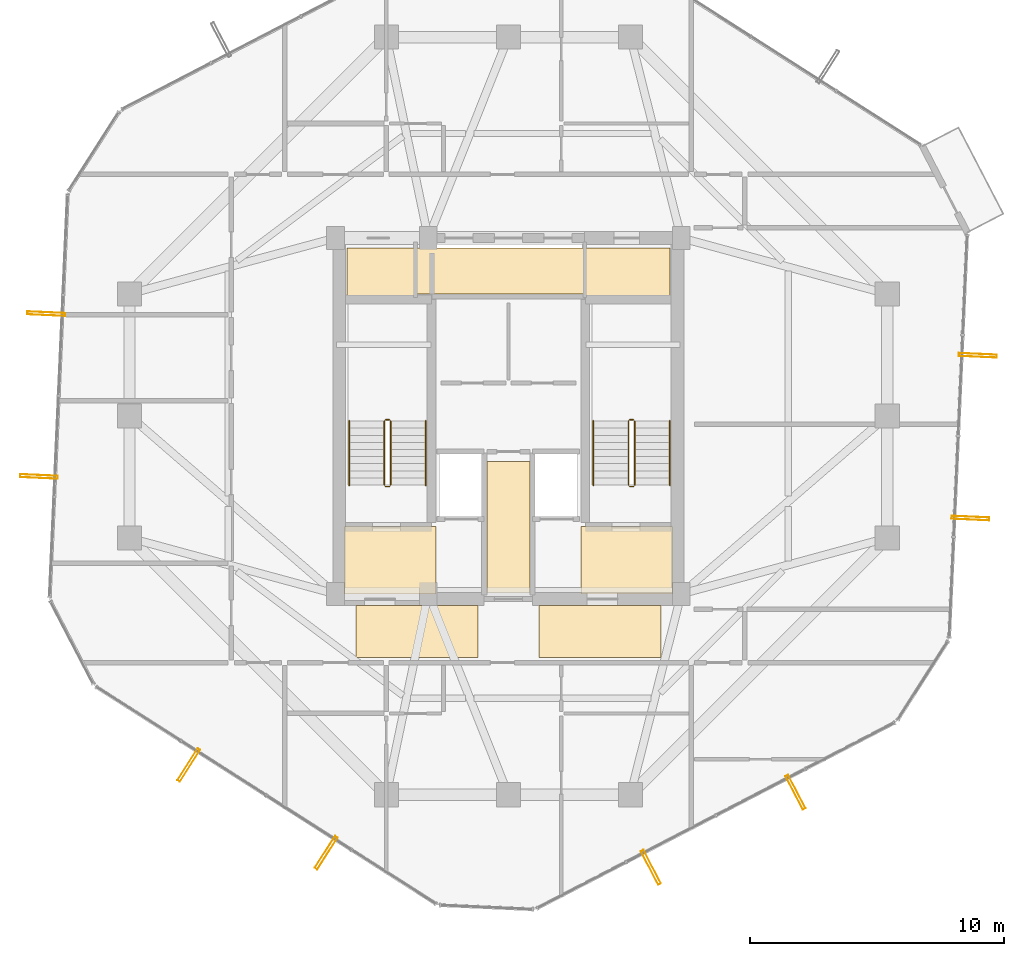
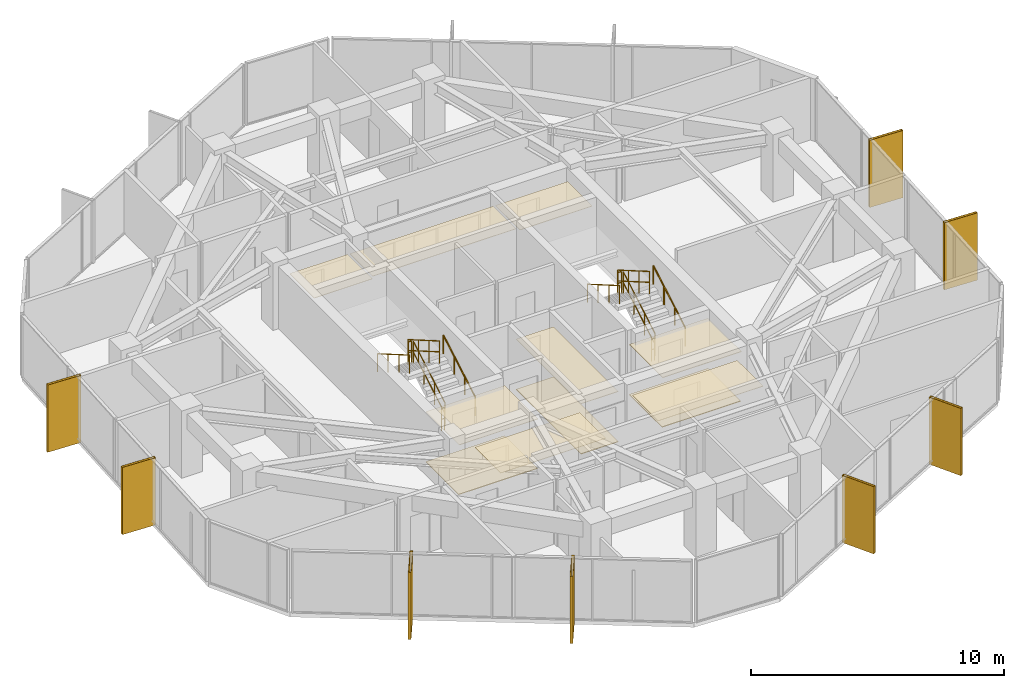
# One storey, part 28 of 29: 12 railings, 11 coverings, 8 shading devices.
"""IFC4 building model written with IfcOpenShell, lengths in metres."""

import ifcopenshell
import ifcopenshell.guid

model = None  # the IFC model being written
_history = None  # IfcOwnerHistory: only IFC2X3 demands one
_inside = {}  # id of a spatial element -> (the spatial element, [elements in it])
_under = {}  # id of a project, library or spatial element -> (it, [spatial elements below it])
_declared = {}  # id of a project -> (the project, [libraries it declares])
_typed = {}  # id of a type object -> (the type object, [elements of that type])
_made_of = {}  # id of a material, layer set ... -> (it, [elements and type objects made of it])


def new_model(schema):
    """Start an empty IFC model of exactly this schema.

    Asked for "IFC4X3", IfcOpenShell would pick the latest addendum, in which some entities
    have other attributes; the version numbers below select the first issue.
    IFC2X3 requires an IfcOwnerHistory on every rooted entity: one is made here for all.
    """
    global model, _history
    if schema == "IFC4X3":
        model = ifcopenshell.file(schema_version=(4, 3, 0, 0))
    else:
        model = ifcopenshell.file(schema=schema)
    _inside.clear()
    _under.clear()
    _declared.clear()
    _typed.clear()
    _made_of.clear()
    _history = None
    if model.schema == "IFC2X3":
        org = make("IfcOrganization", Name="unknown")
        user = make(
            "IfcPersonAndOrganization",
            ThePerson=make("IfcPerson", FamilyName="unknown"),
            TheOrganization=org,
        )
        app = make(
            "IfcApplication",
            ApplicationDeveloper=org,
            Version="unknown",
            ApplicationFullName="unknown",
            ApplicationIdentifier="unknown",
        )
        _history = make(
            "IfcOwnerHistory",
            OwningUser=user,
            OwningApplication=app,
            ChangeAction="ADDED",
            CreationDate=0,
        )
    return model


def make(cls, **values):
    """One entity of the class cls with the attributes given. An attribute that is None is left unset."""
    return model.create_entity(
        cls, **{name: value for name, value in values.items() if value is not None}
    )


def rooted(cls, **values):
    """An entity with a GlobalId (a new one), such as an element, a storey or a relation."""
    return make(cls, GlobalId=ifcopenshell.guid.new(), OwnerHistory=_history, **values)


def si_unit(unit_type, name, prefix=None):
    """IfcSIUnit, for example si_unit("LENGTHUNIT", "METRE", prefix="MILLI")."""
    return make("IfcSIUnit", UnitType=unit_type, Prefix=prefix, Name=name)


def assignment(units):
    """IfcUnitAssignment: the units of a project."""
    return None if units is None else make("IfcUnitAssignment", Units=units)


def point(xyz):
    """IfcCartesianPoint."""
    return None if xyz is None else make("IfcCartesianPoint", Coordinates=xyz)


def direction(xyz):
    """IfcDirection."""
    return None if xyz is None else make("IfcDirection", DirectionRatios=xyz)


def frame(location, z_axis=None, x_axis=None):
    """IfcAxis2Placement3D, a coordinate frame: its origin and axes. An axis left out is left unset."""
    return make(
        "IfcAxis2Placement3D",
        Location=point(location),
        Axis=direction(z_axis),
        RefDirection=direction(x_axis),
    )


def frame_2d(location, x_axis=None):
    """IfcAxis2Placement2D, a coordinate frame in the plane: its origin and x axis."""
    return make(
        "IfcAxis2Placement2D", Location=point(location), RefDirection=direction(x_axis)
    )


def origin():
    """The frame at (0, 0, 0) with its axes left unset."""
    return frame((0.0, 0.0, 0.0))


def origin_2d():
    """The frame at (0, 0) in the plane with its x axis left unset."""
    return frame_2d((0.0, 0.0))


def place(relative_to, where):
    """IfcLocalPlacement: puts the frame where relative to a parent placement (None: the world)."""
    return make(
        "IfcLocalPlacement", PlacementRelTo=relative_to, RelativePlacement=where
    )


def context(
    kind, dimensions, precision=None, world=None, true_north=None, identifier=None
):
    """IfcGeometricRepresentationContext, for example the 3D "Model" context."""
    return make(
        "IfcGeometricRepresentationContext",
        ContextIdentifier=identifier,
        ContextType=kind,
        CoordinateSpaceDimension=dimensions,
        Precision=precision,
        WorldCoordinateSystem=world,
        TrueNorth=true_north,
    )


def subcontext(parent, identifier, kind, view, scale=None):
    """IfcGeometricRepresentationSubContext, for example "Body" below "Model"."""
    return make(
        "IfcGeometricRepresentationSubContext",
        ContextIdentifier=identifier,
        ContextType=kind,
        ParentContext=parent,
        TargetScale=scale,
        TargetView=view,
    )


def project(units=None, contexts=None):
    """IfcProject with its units and contexts."""
    return rooted(
        "IfcProject",
        Name="project",
        RepresentationContexts=contexts,
        UnitsInContext=assignment(units),
    )


def spatial(cls, under=None, at=None, **own):
    """A site, building, storey or space (cls), placed at a placement, below another one or the project."""
    s = rooted(cls, ObjectPlacement=at, **own)
    if under is not None:
        _under.setdefault(under.id(), (under, []))[1].append(s)
    return s


def polyline(points):
    """IfcPolyline through the points."""
    return make("IfcPolyline", Points=[point(p) for p in points])


def profile(cls, at=None, kind="AREA", **sizes):
    """A parametric profile (cls). Its sizes go by their IFC names, for example OverallWidth=200.0."""
    return make(cls, ProfileType=kind, Position=at, **sizes)


def hollow_rectangle(**sizes):
    """IfcRectangleHollowProfileDef."""
    return profile("IfcRectangleHollowProfileDef", **sizes)


def circle(**sizes):
    """IfcCircleProfileDef."""
    return profile("IfcCircleProfileDef", **sizes)


def outline(outer, holes=None, kind="AREA"):
    """IfcArbitraryClosedProfileDef: a profile drawn as a closed curve; with holes, ...WithVoids."""
    if holes is None:
        return make("IfcArbitraryClosedProfileDef", ProfileType=kind, OuterCurve=outer)
    return make(
        "IfcArbitraryProfileDefWithVoids",
        ProfileType=kind,
        OuterCurve=outer,
        InnerCurves=holes,
    )


def extrude(swept, where, along, depth):
    """IfcExtrudedAreaSolid: the profile swept, set in the frame where, extruded along a direction by depth."""
    return make(
        "IfcExtrudedAreaSolid",
        SweptArea=swept,
        Position=where,
        ExtrudedDirection=direction(along),
        Depth=depth,
    )


def shape(context_of_items, identifier, shape_type, items):
    """IfcShapeRepresentation: the items that make up one representation, for example the "Body"."""
    return make(
        "IfcShapeRepresentation",
        ContextOfItems=context_of_items,
        RepresentationIdentifier=identifier,
        RepresentationType=shape_type,
        Items=items,
    )


def material(Name=None, Category=None):
    """IfcMaterial."""
    return make("IfcMaterial", Name=Name, Category=Category)


def layer(
    of_material, thickness, ventilated=None, Name=None, Category=None, Priority=None
):
    """IfcMaterialLayer: one layer of a wall or slab, of a material (None: an air gap)."""
    return make(
        "IfcMaterialLayer",
        Material=of_material,
        LayerThickness=thickness,
        IsVentilated=ventilated,
        Name=Name,
        Category=Category,
        Priority=Priority,
    )


def layer_set(layers, Name=None):
    """IfcMaterialLayerSet."""
    return make("IfcMaterialLayerSet", MaterialLayers=layers, LayerSetName=Name)


def material_profile(
    of_material, cross_section, Name=None, Category=None, Priority=None
):
    """IfcMaterialProfile: a cross section and its material."""
    return make(
        "IfcMaterialProfile",
        Name=Name,
        Material=of_material,
        Profile=cross_section,
        Priority=Priority,
        Category=Category,
    )


def profile_set(profiles, Name=None, composite=None):
    """IfcMaterialProfileSet."""
    return make(
        "IfcMaterialProfileSet",
        Name=Name,
        MaterialProfiles=profiles,
        CompositeProfile=composite,
    )


def made_of(thing, what):
    """Note that an element or type object is made of a material, layer set ...; save() writes the relation."""
    if what is not None:
        _made_of.setdefault(what.id(), (what, []))[1].append(thing)
    return thing


def type_object(cls, material=None, **own):
    """A type object (cls), such as IfcWallType, which elements share."""
    return made_of(rooted(cls, **own), material)


def element(
    cls,
    number,
    at=None,
    inside=None,
    cuts=None,
    type_object=None,
    material=None,
    context=None,
    identifier="Body",
    shape_type=None,
    held_by="IfcProductDefinitionShape",
    body=None,
    shapes=None,
    **own,
):
    """One element of the class cls, such as IfcWall. Its Tag is "e" and its number.

    at: its placement. inside: the storey or other place that contains it. cuts: it is an
    opening in that element (IfcRelVoidsElement). A single representation is given by context,
    identifier, shape_type and body (its items); several are given by shapes. held_by: the class
    of the entity that holds the representations. save() writes the other relations.
    """
    e = rooted(cls, Tag="e%d" % number, ObjectPlacement=at, **own)
    if body is not None:
        shapes = [shape(context, identifier, shape_type, body)]
    if shapes is not None:
        e.Representation = make(held_by, Representations=shapes)
    if inside is not None:
        _inside.setdefault(inside.id(), (inside, []))[1].append(e)
    if cuts is not None:
        rooted(
            "IfcRelVoidsElement", RelatingBuildingElement=cuts, RelatedOpeningElement=e
        )
    if type_object is not None:
        _typed.setdefault(type_object.id(), (type_object, []))[1].append(e)
    return made_of(e, material)


def aggregate(whole, parts):
    """IfcRelAggregates: a whole, such as a stair, and the parts it consists of."""
    return rooted("IfcRelAggregates", RelatingObject=whole, RelatedObjects=parts)


def save(model, path):
    """Write the relations noted so far, then the file.

    IfcRelAggregates (storeys below a building ...), IfcRelContainedInSpatialStructure (elements
    in a storey), IfcRelDefinesByType, IfcRelAssociatesMaterial and IfcRelDeclares: one each for
    every whole, place, type object, material and project.
    """
    for whole, parts in _under.values():
        aggregate(whole, parts)
    for where, things in _inside.values():
        rooted(
            "IfcRelContainedInSpatialStructure",
            RelatedElements=things,
            RelatingStructure=where,
        )
    for kind, things in _typed.values():
        rooted("IfcRelDefinesByType", RelatedObjects=things, RelatingType=kind)
    for what, things in _made_of.values():
        rooted("IfcRelAssociatesMaterial", RelatedObjects=things, RelatingMaterial=what)
    for by, libraries in _declared.values():
        rooted("IfcRelDeclares", RelatingContext=by, RelatedDefinitions=libraries)
    model.write(path)


model = new_model("IFC4")

# Units and contexts
model_context = context("Model", 3, precision=1e-05, world=origin(), true_north=direction((0.0, 1.0)))
body_context = subcontext(model_context, "Body", "Model", "MODEL_VIEW")
ifc_project = project(units=[si_unit("LENGTHUNIT", "METRE"), si_unit("AREAUNIT", "SQUARE_METRE"), si_unit("VOLUMEUNIT", "CUBIC_METRE"), si_unit("PLANEANGLEUNIT", "RADIAN"), si_unit("MASSUNIT", "GRAM", prefix="KILO")], contexts=[model_context])

# Site, building, storey
site_placement = place(None, origin())
site = spatial("IfcSite", under=ifc_project, at=site_placement, CompositionType="ELEMENT")
building_placement = place(site_placement, origin())
building = spatial("IfcBuilding", under=site, at=building_placement, Name="Veraguas Prism Commons", CompositionType="ELEMENT")
storey_placement = place(building_placement, frame((0.0, 0.0, 215.64990234375)))
storey = spatial("IfcBuildingStorey", under=building, at=storey_placement, Name="L61", CompositionType="ELEMENT", Elevation=215.64990234375)

# Shading devices
ifc_material_1 = material(Name="Anodised aluminium EN AW-6063 T6", Category="aluminium")
ifc_material_profile = material_profile(ifc_material_1, hollow_rectangle(XDim=0.1201171875, YDim=1.489990234375, WallThickness=0.006103515625, at=origin_2d()), Name="FIN120X1490X6")
ifc_profile_set = profile_set([ifc_material_profile], Name="Anodised aluminium EN AW-6063 T6")
shading_device_type = type_object("IfcShadingDeviceType", Name="Deep Pale-Metal Vertical Solar Fin 120x1490", PredefinedType="USERDEFINED", material=ifc_profile_set)
for number, where, z_axis, x_axis, name in (
    (1, (5.826171875, 28.020263671875, -0.21484375), (0.0, 0.0, 1.0), (-0.044669051283, -0.999001839767, 0.0), "Vertical Pale-Metal Solar Fin L61-F3A"),
    (2, (5.539794921875, 21.61767578125, -0.21484375), (0.0, 0.0, 1.0), (-0.044669051283, -0.999001839767, 0.0), "Vertical Pale-Metal Solar Fin L61-F3B"),
    (3, (11.431396484375, 10.27099609375, -0.21484375), (0.0, 0.0, 1.0), (0.842829263945, -0.538181040021, 0.0), "Vertical Pale-Metal Solar Fin L61-F4A"),
    (4, (16.833251953125, 6.822021484375, -0.21484375), (0.0, 0.0, 1.0), (0.842829263945, -0.538181040021, 0.0), "Vertical Pale-Metal Solar Fin L61-F4B"),
    (5, (29.605224609375, 6.2509765625, -0.21484375), (0.0, 0.0, 1.0), (0.887494693029, 0.460817935681, 0.0), "Vertical Pale-Metal Solar Fin L61-F5A"),
    (6, (35.293212890625, 9.204345703125, -0.21484375), (0.0, 0.0, 1.0), (0.887494693029, 0.460817935681, 0.0), "Vertical Pale-Metal Solar Fin L61-F5B"),
    (7, (42.173828125, 19.979736328125, -0.21484375), (0.0, 0.0, 1.0), (0.044669051283, 0.999001839767, 0.0), "Vertical Pale-Metal Solar Fin L61-F6A"),
    (8, (42.460205078125, 26.38232421875, -0.21484375), (0.0, 0.0, 1.0), (0.044669051283, 0.999001839767, 0.0), "Vertical Pale-Metal Solar Fin L61-F6B"),
):
    element("IfcShadingDevice", number, at=place(storey_placement, frame(where, z_axis=z_axis, x_axis=x_axis)), inside=storey, type_object=shading_device_type, Name=name, ObjectType="FIN", PredefinedType="USERDEFINED", context=body_context, shape_type="SweptSolid", body=[
        extrude(hollow_rectangle(XDim=0.1201171875, YDim=1.489990234375, WallThickness=0.006103515625, at=origin_2d()), origin(), (0.0, 0.0, 1.0), 3.25),
    ])

# Coverings
ifc_material_2 = material(Name="Acoustic gypsum board")
ifc_layer_1 = layer(ifc_material_2, 0.02490234375, Name="Perforated Acoustic Ceiling Tile 25")
ifc_layer_set_1 = layer_set([ifc_layer_1], Name="Acoustic gypsum board")
covering_type_1 = type_object("IfcCoveringType", Name="Perforated Acoustic Ceiling Tile 25", PredefinedType="USERDEFINED", material=ifc_layer_set_1)
covering_1_placement = place(storey_placement, frame((0.0, 0.0, 2.425048828125)))
element("IfcCovering", 9, at=covering_1_placement, inside=storey, type_object=covering_type_1, Name="East Lobby Acoustic Ceiling L61", ObjectType="ACOUSTIC CEILING", PredefinedType="USERDEFINED", context=body_context, shape_type="SweptSolid", body=[
    extrude(outline(polyline([(26.85009765625, 17.0), (30.449951171875, 17.0), (30.449951171875, 19.64990234375), (26.85009765625, 19.64990234375), (26.85009765625, 17.0)])), origin(), (0.0, 0.0, 1.0), 0.025146484375),
])
ifc_material_3 = material(Name="Terrazzo stone finish", Category="masonry")
ifc_layer_2 = layer(ifc_material_3, 0.030029296875, Name="Polished Terrazzo Floor Finish 30", Category="masonry")
ifc_layer_set_2 = layer_set([ifc_layer_2], Name="Terrazzo stone finish")
covering_type_2 = type_object("IfcCoveringType", Name="Polished Terrazzo Floor Finish 30", PredefinedType="FLOORING", material=ifc_layer_set_2)
covering_2_placement = place(storey_placement, origin())
element("IfcCovering", 10, at=covering_2_placement, inside=storey, type_object=covering_type_2, Name="Terrazzo Lobby Flooring L61", PredefinedType="FLOORING", context=body_context, shape_type="SweptSolid", body=[
    extrude(outline(polyline([(23.14990234375, 17.050048828125), (24.85009765625, 17.050048828125), (24.85009765625, 22.199951171875), (23.14990234375, 22.199951171875), (23.14990234375, 17.050048828125)])), origin(), (0.0, 0.0, 1.0), 0.030029296875),
])
covering_3_placement = place(storey_placement, origin())
element("IfcCovering", 11, at=covering_3_placement, inside=storey, type_object=covering_type_2, Name="West FF Lobby Terrazzo Flooring L61", PredefinedType="FLOORING", context=body_context, shape_type="SweptSolid", body=[
    extrude(outline(polyline([(17.550048828125, 17.050048828125), (21.14990234375, 17.050048828125), (21.14990234375, 19.64990234375), (17.550048828125, 19.64990234375), (17.550048828125, 17.050048828125)])), origin(), (0.0, 0.0, 1.0), 0.030029296875),
])
covering_4_placement = place(storey_placement, origin())
element("IfcCovering", 12, at=covering_4_placement, inside=storey, type_object=covering_type_2, Name="East FF Lobby Terrazzo Flooring L61", PredefinedType="FLOORING", context=body_context, shape_type="SweptSolid", body=[
    extrude(outline(polyline([(26.85009765625, 17.050048828125), (30.449951171875, 17.050048828125), (30.449951171875, 19.64990234375), (26.85009765625, 19.64990234375), (26.85009765625, 17.050048828125)])), origin(), (0.0, 0.0, 1.0), 0.030029296875),
])

# Railings
ifc_material_4 = material(Name="Stainless steel AISI 316", Category="steel")
railing_type_1 = type_object("IfcRailingType", Name="Stair and Ramp Stainless Handrail 900", PredefinedType="HANDRAIL", material=ifc_material_4)
railing_1_placement = place(storey_placement, frame((20.75, 21.280029296875, 0.16259765625)))
element("IfcRailing", 13, at=railing_1_placement, inside=storey, type_object=railing_type_1, Name="Stair Handrail ST-01 L61-1", PredefinedType="HANDRAIL", context=body_context, shape_type="SweptSolid", body=[
    extrude(circle(Radius=0.02392578125, at=origin_2d()), frame((0.0, 0.0, 0.8759765625), z_axis=(0.0, 0.864913338283, 0.50192122615), x_axis=(-1.0, 0.0, 0.0)), (0.0, 0.0, 1.0), 2.91357421875),
    extrude(circle(Radius=0.02099609375, at=origin_2d()), origin(), (0.0, 0.0, 1.0), 0.851806640625),
    extrude(circle(Radius=0.02099609375, at=origin_2d()), frame((0.0, 0.840087890625, 0.487548828125)), (0.0, 0.0, 1.0), 0.851806640625),
    extrude(circle(Radius=0.02099609375, at=origin_2d()), frame((0.0, 1.679931640625, 0.974853515625)), (0.0, 0.0, 1.0), 0.851806640625),
    extrude(circle(Radius=0.02099609375, at=origin_2d()), frame((0.0, 2.52001953125, 1.46240234375)), (0.0, 0.0, 1.0), 0.851806640625),
])
railing_2_placement = place(storey_placement, frame((17.739990234375, 23.800048828125, 1.78759765625)))
element("IfcRailing", 14, at=railing_2_placement, inside=storey, type_object=railing_type_1, Name="Stair Handrail ST-01 L61-2", PredefinedType="HANDRAIL", context=body_context, shape_type="SweptSolid", body=[
    extrude(circle(Radius=0.02392578125, at=origin_2d()), frame((0.0, 0.0, 0.8759765625), z_axis=(0.0, -0.864913338283, 0.50192122615), x_axis=(1.0, 0.0, 0.0)), (0.0, 0.0, 1.0), 2.91357421875),
    extrude(circle(Radius=0.02099609375, at=origin_2d()), origin(), (0.0, 0.0, 1.0), 0.851806640625),
    extrude(circle(Radius=0.02099609375, at=origin_2d()), frame((0.0, -0.840087890625, 0.487548828125)), (0.0, 0.0, 1.0), 0.851806640625),
    extrude(circle(Radius=0.02099609375, at=origin_2d()), frame((0.0, -1.679931640625, 0.974853515625)), (0.0, 0.0, 1.0), 0.851806640625),
    extrude(circle(Radius=0.02099609375, at=origin_2d()), frame((0.0, -2.52001953125, 1.46240234375)), (0.0, 0.0, 1.0), 0.851806640625),
])
railing_3_placement = place(storey_placement, frame((30.35009765625, 21.280029296875, 0.16259765625)))
element("IfcRailing", 15, at=railing_3_placement, inside=storey, type_object=railing_type_1, Name="Stair Handrail ST-02 L61-1", PredefinedType="HANDRAIL", context=body_context, shape_type="SweptSolid", body=[
    extrude(circle(Radius=0.02392578125, at=origin_2d()), frame((0.0, 0.0, 0.8759765625), z_axis=(0.0, 0.864913338283, 0.50192122615), x_axis=(-1.0, 0.0, 0.0)), (0.0, 0.0, 1.0), 2.91357421875),
    extrude(circle(Radius=0.02099609375, at=origin_2d()), origin(), (0.0, 0.0, 1.0), 0.851806640625),
    extrude(circle(Radius=0.02099609375, at=origin_2d()), frame((0.0, 0.840087890625, 0.487548828125)), (0.0, 0.0, 1.0), 0.851806640625),
    extrude(circle(Radius=0.02099609375, at=origin_2d()), frame((0.0, 1.679931640625, 0.974853515625)), (0.0, 0.0, 1.0), 0.851806640625),
    extrude(circle(Radius=0.02099609375, at=origin_2d()), frame((0.0, 2.52001953125, 1.46240234375)), (0.0, 0.0, 1.0), 0.851806640625),
])
railing_4_placement = place(storey_placement, frame((27.340087890625, 23.800048828125, 1.78759765625)))
element("IfcRailing", 16, at=railing_4_placement, inside=storey, type_object=railing_type_1, Name="Stair Handrail ST-02 L61-2", PredefinedType="HANDRAIL", context=body_context, shape_type="SweptSolid", body=[
    extrude(circle(Radius=0.02392578125, at=origin_2d()), frame((0.0, 0.0, 0.8759765625), z_axis=(0.0, -0.864913338283, 0.50192122615), x_axis=(1.0, 0.0, 0.0)), (0.0, 0.0, 1.0), 2.91357421875),
    extrude(circle(Radius=0.02099609375, at=origin_2d()), origin(), (0.0, 0.0, 1.0), 0.851806640625),
    extrude(circle(Radius=0.02099609375, at=origin_2d()), frame((0.0, -0.840087890625, 0.487548828125)), (0.0, 0.0, 1.0), 0.851806640625),
    extrude(circle(Radius=0.02099609375, at=origin_2d()), frame((0.0, -1.679931640625, 0.974853515625)), (0.0, 0.0, 1.0), 0.851806640625),
    extrude(circle(Radius=0.02099609375, at=origin_2d()), frame((0.0, -2.52001953125, 1.46240234375)), (0.0, 0.0, 1.0), 0.851806640625),
])
railing_type_2 = type_object("IfcRailingType", Name="Stairwell Safety Guardrail 1100", PredefinedType="GUARDRAIL", material=ifc_material_4)
railing_5_placement = place(storey_placement, frame((19.3701171875, 21.280029296875, 0.16259765625)))
element("IfcRailing", 17, at=railing_5_placement, inside=storey, type_object=railing_type_2, Name="Stair Guard ST-01 L61-1", PredefinedType="GUARDRAIL", context=body_context, shape_type="SweptSolid", body=[
    extrude(circle(Radius=0.02392578125, at=origin_2d()), frame((0.0, 0.0, 1.076171875), z_axis=(0.0, 0.864913338283, 0.50192122615), x_axis=(-1.0, 0.0, 0.0)), (0.0, 0.0, 1.0), 2.91357421875),
    extrude(circle(Radius=0.02392578125, at=origin_2d()), frame((0.0, 0.0, 0.550048828125), z_axis=(0.0, 0.864913338283, 0.50192122615), x_axis=(-1.0, 0.0, 0.0)), (0.0, 0.0, 1.0), 2.91357421875),
    extrude(circle(Radius=0.02099609375, at=origin_2d()), origin(), (0.0, 0.0, 1.0), 1.052001953125),
    extrude(circle(Radius=0.02099609375, at=origin_2d()), frame((0.0, 0.840087890625, 0.487548828125)), (0.0, 0.0, 1.0), 1.052001953125),
    extrude(circle(Radius=0.02099609375, at=origin_2d()), frame((0.0, 1.679931640625, 0.974853515625)), (0.0, 0.0, 1.0), 1.052001953125),
    extrude(circle(Radius=0.02099609375, at=origin_2d()), frame((0.0, 2.52001953125, 1.46240234375)), (0.0, 0.0, 1.0), 1.052001953125),
])
railing_6_placement = place(storey_placement, frame((19.320068359375, 23.85009765625, 1.625)))
element("IfcRailing", 18, at=railing_6_placement, inside=storey, type_object=railing_type_2, Name="Stair Guard ST-01 L61-2", PredefinedType="GUARDRAIL", context=body_context, shape_type="SweptSolid", body=[
    extrude(circle(Radius=0.02392578125, at=origin_2d()), frame((0.0, 0.0, 1.076171875), z_axis=(-1.0, 0.0, 0.0), x_axis=(0.0, -1.0, 0.0)), (0.0, 0.0, 1.0), 0.150146484375),
    extrude(circle(Radius=0.02392578125, at=origin_2d()), frame((0.0, 0.0, 0.550048828125), z_axis=(-1.0, 0.0, 0.0), x_axis=(0.0, -1.0, 0.0)), (0.0, 0.0, 1.0), 0.150146484375),
    extrude(circle(Radius=0.02099609375, at=origin_2d()), origin(), (0.0, 0.0, 1.0), 1.052001953125),
    extrude(circle(Radius=0.02099609375, at=origin_2d()), frame((-0.150146484375, 0.0, 0.0)), (0.0, 0.0, 1.0), 1.052001953125),
])
railing_7_placement = place(storey_placement, frame((19.1201171875, 23.800048828125, 1.78759765625)))
element("IfcRailing", 19, at=railing_7_placement, inside=storey, type_object=railing_type_2, Name="Stair Guard ST-01 L61-3", PredefinedType="GUARDRAIL", context=body_context, shape_type="SweptSolid", body=[
    extrude(circle(Radius=0.02392578125, at=origin_2d()), frame((0.0, 0.0, 1.076171875), z_axis=(0.0, -0.864913338283, 0.50192122615), x_axis=(1.0, 0.0, 0.0)), (0.0, 0.0, 1.0), 2.91357421875),
    extrude(circle(Radius=0.02392578125, at=origin_2d()), frame((0.0, 0.0, 0.550048828125), z_axis=(0.0, -0.864913338283, 0.50192122615), x_axis=(1.0, 0.0, 0.0)), (0.0, 0.0, 1.0), 2.91357421875),
    extrude(circle(Radius=0.02099609375, at=origin_2d()), origin(), (0.0, 0.0, 1.0), 1.052001953125),
    extrude(circle(Radius=0.02099609375, at=origin_2d()), frame((0.0, -0.840087890625, 0.487548828125)), (0.0, 0.0, 1.0), 1.052001953125),
    extrude(circle(Radius=0.02099609375, at=origin_2d()), frame((0.0, -1.679931640625, 0.974853515625)), (0.0, 0.0, 1.0), 1.052001953125),
    extrude(circle(Radius=0.02099609375, at=origin_2d()), frame((0.0, -2.52001953125, 1.46240234375)), (0.0, 0.0, 1.0), 1.052001953125),
])
railing_8_placement = place(storey_placement, frame((19.320068359375, 21.22998046875, 0.0)))
element("IfcRailing", 20, at=railing_8_placement, inside=storey, type_object=railing_type_2, Name="Stair Guard ST-01 L61-4", PredefinedType="GUARDRAIL", context=body_context, shape_type="SweptSolid", body=[
    extrude(circle(Radius=0.02392578125, at=origin_2d()), frame((0.0, 0.0, 1.076171875), z_axis=(-1.0, 0.0, 0.0), x_axis=(0.0, -1.0, 0.0)), (0.0, 0.0, 1.0), 0.150146484375),
    extrude(circle(Radius=0.02392578125, at=origin_2d()), frame((0.0, 0.0, 0.550048828125), z_axis=(-1.0, 0.0, 0.0), x_axis=(0.0, -1.0, 0.0)), (0.0, 0.0, 1.0), 0.150146484375),
    extrude(circle(Radius=0.02099609375, at=origin_2d()), origin(), (0.0, 0.0, 1.0), 1.052001953125),
    extrude(circle(Radius=0.02099609375, at=origin_2d()), frame((-0.150146484375, 0.0, 0.0)), (0.0, 0.0, 1.0), 1.052001953125),
])
railing_9_placement = place(storey_placement, frame((28.969970703125, 21.280029296875, 0.16259765625)))
element("IfcRailing", 21, at=railing_9_placement, inside=storey, type_object=railing_type_2, Name="Stair Guard ST-02 L61-1", PredefinedType="GUARDRAIL", context=body_context, shape_type="SweptSolid", body=[
    extrude(circle(Radius=0.02392578125, at=origin_2d()), frame((0.0, 0.0, 1.076171875), z_axis=(0.0, 0.864913338283, 0.50192122615), x_axis=(-1.0, 0.0, 0.0)), (0.0, 0.0, 1.0), 2.91357421875),
    extrude(circle(Radius=0.02392578125, at=origin_2d()), frame((0.0, 0.0, 0.550048828125), z_axis=(0.0, 0.864913338283, 0.50192122615), x_axis=(-1.0, 0.0, 0.0)), (0.0, 0.0, 1.0), 2.91357421875),
    extrude(circle(Radius=0.02099609375, at=origin_2d()), origin(), (0.0, 0.0, 1.0), 1.052001953125),
    extrude(circle(Radius=0.02099609375, at=origin_2d()), frame((0.0, 0.840087890625, 0.487548828125)), (0.0, 0.0, 1.0), 1.052001953125),
    extrude(circle(Radius=0.02099609375, at=origin_2d()), frame((0.0, 1.679931640625, 0.974853515625)), (0.0, 0.0, 1.0), 1.052001953125),
    extrude(circle(Radius=0.02099609375, at=origin_2d()), frame((0.0, 2.52001953125, 1.46240234375)), (0.0, 0.0, 1.0), 1.052001953125),
])
railing_10_placement = place(storey_placement, frame((28.919921875, 23.85009765625, 1.625)))
element("IfcRailing", 22, at=railing_10_placement, inside=storey, type_object=railing_type_2, Name="Stair Guard ST-02 L61-2", PredefinedType="GUARDRAIL", context=body_context, shape_type="SweptSolid", body=[
    extrude(circle(Radius=0.02392578125, at=origin_2d()), frame((0.0, 0.0, 1.076171875), z_axis=(-1.0, 0.0, 0.0), x_axis=(0.0, -1.0, 0.0)), (0.0, 0.0, 1.0), 0.14990234375),
    extrude(circle(Radius=0.02392578125, at=origin_2d()), frame((0.0, 0.0, 0.550048828125), z_axis=(-1.0, 0.0, 0.0), x_axis=(0.0, -1.0, 0.0)), (0.0, 0.0, 1.0), 0.14990234375),
    extrude(circle(Radius=0.02099609375, at=origin_2d()), origin(), (0.0, 0.0, 1.0), 1.052001953125),
    extrude(circle(Radius=0.02099609375, at=origin_2d()), frame((-0.14990234375, 0.0, 0.0)), (0.0, 0.0, 1.0), 1.052001953125),
])
railing_11_placement = place(storey_placement, frame((28.719970703125, 23.800048828125, 1.78759765625)))
element("IfcRailing", 23, at=railing_11_placement, inside=storey, type_object=railing_type_2, Name="Stair Guard ST-02 L61-3", PredefinedType="GUARDRAIL", context=body_context, shape_type="SweptSolid", body=[
    extrude(circle(Radius=0.02392578125, at=origin_2d()), frame((0.0, 0.0, 1.076171875), z_axis=(0.0, -0.864913338283, 0.50192122615), x_axis=(1.0, 0.0, 0.0)), (0.0, 0.0, 1.0), 2.91357421875),
    extrude(circle(Radius=0.02392578125, at=origin_2d()), frame((0.0, 0.0, 0.550048828125), z_axis=(0.0, -0.864913338283, 0.50192122615), x_axis=(1.0, 0.0, 0.0)), (0.0, 0.0, 1.0), 2.91357421875),
    extrude(circle(Radius=0.02099609375, at=origin_2d()), origin(), (0.0, 0.0, 1.0), 1.052001953125),
    extrude(circle(Radius=0.02099609375, at=origin_2d()), frame((0.0, -0.840087890625, 0.487548828125)), (0.0, 0.0, 1.0), 1.052001953125),
    extrude(circle(Radius=0.02099609375, at=origin_2d()), frame((0.0, -1.679931640625, 0.974853515625)), (0.0, 0.0, 1.0), 1.052001953125),
    extrude(circle(Radius=0.02099609375, at=origin_2d()), frame((0.0, -2.52001953125, 1.46240234375)), (0.0, 0.0, 1.0), 1.052001953125),
])
railing_12_placement = place(storey_placement, frame((28.919921875, 21.22998046875, 0.0)))
element("IfcRailing", 24, at=railing_12_placement, inside=storey, type_object=railing_type_2, Name="Stair Guard ST-02 L61-4", PredefinedType="GUARDRAIL", context=body_context, shape_type="SweptSolid", body=[
    extrude(circle(Radius=0.02392578125, at=origin_2d()), frame((0.0, 0.0, 1.076171875), z_axis=(-1.0, 0.0, 0.0), x_axis=(0.0, -1.0, 0.0)), (0.0, 0.0, 1.0), 0.14990234375),
    extrude(circle(Radius=0.02392578125, at=origin_2d()), frame((0.0, 0.0, 0.550048828125), z_axis=(-1.0, 0.0, 0.0), x_axis=(0.0, -1.0, 0.0)), (0.0, 0.0, 1.0), 0.14990234375),
    extrude(circle(Radius=0.02099609375, at=origin_2d()), origin(), (0.0, 0.0, 1.0), 1.052001953125),
    extrude(circle(Radius=0.02099609375, at=origin_2d()), frame((-0.14990234375, 0.0, 0.0)), (0.0, 0.0, 1.0), 1.052001953125),
])

# Coverings
ifc_layer_3 = layer(ifc_material_2, 0.02001953125, Name="Suspended Gypsum Ceiling 20")
ifc_layer_set_3 = layer_set([ifc_layer_3], Name="Acoustic gypsum board")
covering_type_3 = type_object("IfcCoveringType", Name="Suspended Gypsum Ceiling 20", PredefinedType="CEILING", material=ifc_layer_set_3)
covering_5_placement = place(storey_placement, frame((0.0, 0.0, 2.43017578125)))
element("IfcCovering", 25, at=covering_5_placement, inside=storey, type_object=covering_type_3, Name="West Lobby Suspended Gypsum Ceiling L61", PredefinedType="CEILING", context=body_context, shape_type="SweptSolid", body=[
    extrude(outline(polyline([(17.550048828125, 17.0), (21.14990234375, 17.0), (21.14990234375, 19.64990234375), (17.550048828125, 19.64990234375), (17.550048828125, 17.0)])), origin(), (0.0, 0.0, 1.0), 0.02001953125),
])
covering_6_placement = place(storey_placement, frame((0.0, 0.0, 2.43017578125)))
element("IfcCovering", 26, at=covering_6_placement, inside=storey, type_object=covering_type_3, Name="Core Lobby Acoustic Ceiling L61-1", PredefinedType="CEILING", context=body_context, shape_type="SweptSolid", body=[
    extrude(outline(polyline([(18.0, 14.5), (22.800048828125, 14.5), (22.800048828125, 16.550048828125), (18.0, 16.550048828125), (18.0, 14.5)])), origin(), (0.0, 0.0, 1.0), 0.02001953125),
])
covering_7_placement = place(storey_placement, frame((0.0, 0.0, 2.43017578125)))
element("IfcCovering", 27, at=covering_7_placement, inside=storey, type_object=covering_type_3, Name="Core Lobby Acoustic Ceiling L61-2", PredefinedType="CEILING", context=body_context, shape_type="SweptSolid", body=[
    extrude(outline(polyline([(25.199951171875, 14.5), (30.0, 14.5), (30.0, 16.550048828125), (25.199951171875, 16.550048828125), (25.199951171875, 14.5)])), origin(), (0.0, 0.0, 1.0), 0.02001953125),
])
covering_8_placement = place(storey_placement, frame((0.0, 0.0, 2.43017578125)))
element("IfcCovering", 28, at=covering_8_placement, inside=storey, type_object=covering_type_3, Name="Core Lobby Acoustic Ceiling L61-3", PredefinedType="CEILING", context=body_context, shape_type="SweptSolid", body=[
    extrude(outline(polyline([(23.14990234375, 17.050048828125), (24.85009765625, 17.050048828125), (24.85009765625, 22.199951171875), (23.14990234375, 22.199951171875), (23.14990234375, 17.050048828125)])), origin(), (0.0, 0.0, 1.0), 0.02001953125),
])
covering_9_placement = place(storey_placement, frame((0.0, 0.0, 2.43017578125)))
element("IfcCovering", 29, at=covering_9_placement, inside=storey, type_object=covering_type_3, Name="Core Lobby Acoustic Ceiling L61-4", PredefinedType="CEILING", context=body_context, shape_type="SweptSolid", body=[
    extrude(outline(polyline([(17.64990234375, 28.64990234375), (20.300048828125, 28.64990234375), (20.300048828125, 30.60009765625), (17.64990234375, 30.60009765625), (17.64990234375, 28.64990234375)])), origin(), (0.0, 0.0, 1.0), 0.02001953125),
])
covering_10_placement = place(storey_placement, frame((0.0, 0.0, 2.43017578125)))
element("IfcCovering", 30, at=covering_10_placement, inside=storey, type_object=covering_type_3, Name="Core Lobby Acoustic Ceiling L61-5", PredefinedType="CEILING", context=body_context, shape_type="SweptSolid", body=[
    extrude(outline(polyline([(27.050048828125, 28.64990234375), (30.35009765625, 28.64990234375), (30.35009765625, 30.60009765625), (27.050048828125, 30.60009765625), (27.050048828125, 28.64990234375)])), origin(), (0.0, 0.0, 1.0), 0.02001953125),
])
covering_11_placement = place(storey_placement, frame((0.0, 0.0, 2.43017578125)))
element("IfcCovering", 31, at=covering_11_placement, inside=storey, type_object=covering_type_3, Name="Core Lobby Acoustic Ceiling L61-6", PredefinedType="CEILING", context=body_context, shape_type="SweptSolid", body=[
    extrude(outline(polyline([(20.39990234375, 28.800048828125), (26.949951171875, 28.800048828125), (26.949951171875, 30.60009765625), (20.39990234375, 30.60009765625), (20.39990234375, 28.800048828125)])), origin(), (0.0, 0.0, 1.0), 0.02001953125),
])

save(model, "model.ifc")
